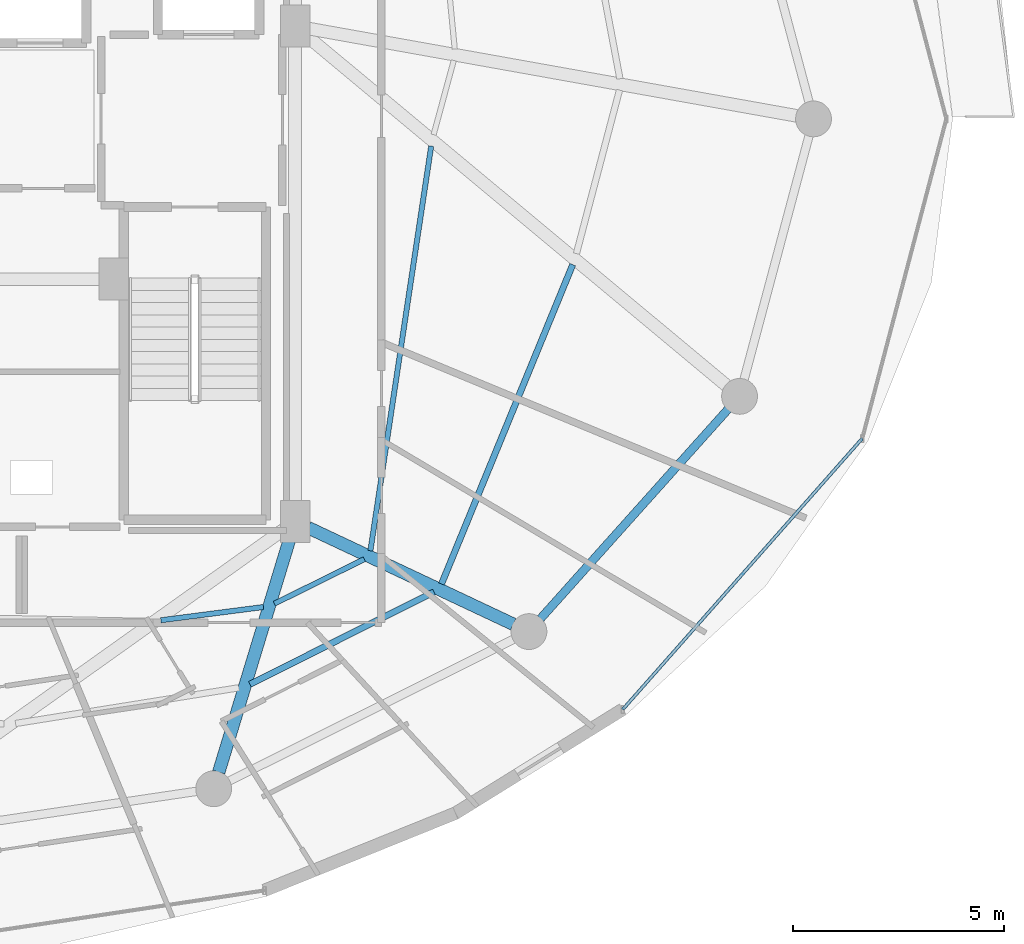
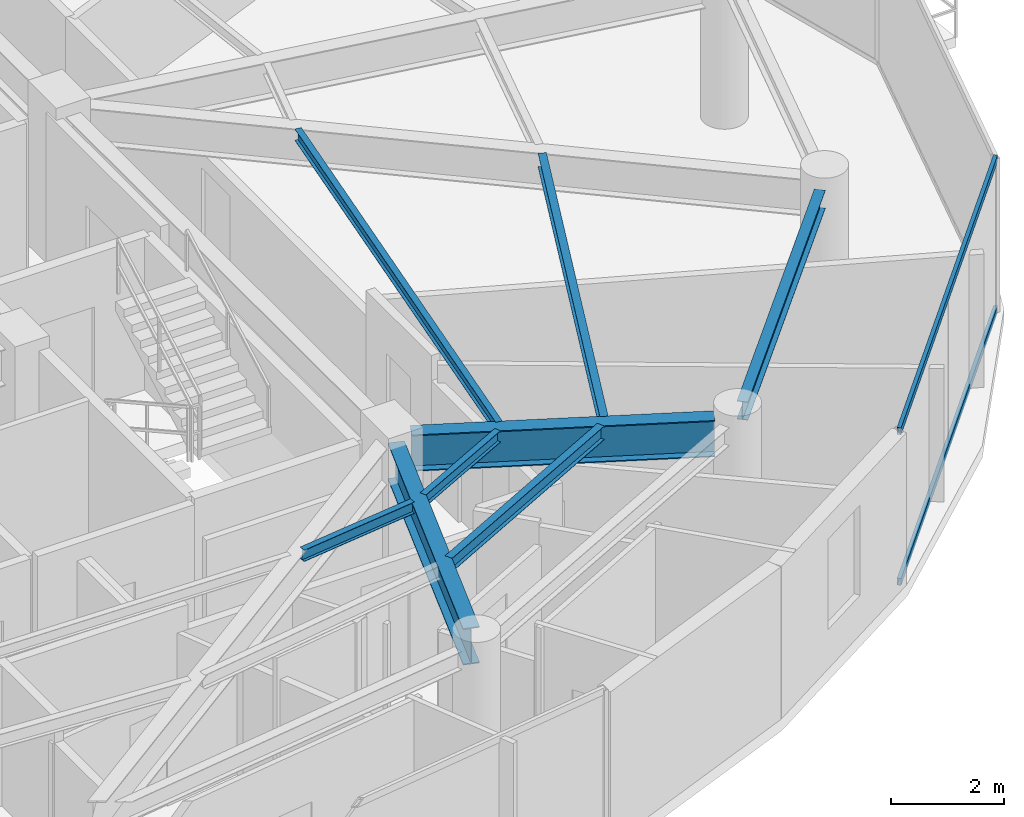
# One storey, part 12 of 31: 8 beams, 2 members, 1 element without a shape of its own.
"""IFC4 building model written with IfcOpenShell, lengths in metres."""

import ifcopenshell
import ifcopenshell.guid

model = None  # the IFC model being written
_history = None  # IfcOwnerHistory: only IFC2X3 demands one
_inside = {}  # id of a spatial element -> (the spatial element, [elements in it])
_under = {}  # id of a project, library or spatial element -> (it, [spatial elements below it])
_declared = {}  # id of a project -> (the project, [libraries it declares])
_typed = {}  # id of a type object -> (the type object, [elements of that type])
_made_of = {}  # id of a material, layer set ... -> (it, [elements and type objects made of it])


def new_model(schema):
    """Start an empty IFC model of exactly this schema.

    Asked for "IFC4X3", IfcOpenShell would pick the latest addendum, in which some entities
    have other attributes; the version numbers below select the first issue.
    IFC2X3 requires an IfcOwnerHistory on every rooted entity: one is made here for all.
    """
    global model, _history
    if schema == "IFC4X3":
        model = ifcopenshell.file(schema_version=(4, 3, 0, 0))
    else:
        model = ifcopenshell.file(schema=schema)
    _inside.clear()
    _under.clear()
    _declared.clear()
    _typed.clear()
    _made_of.clear()
    _history = None
    if model.schema == "IFC2X3":
        org = make("IfcOrganization", Name="unknown")
        user = make(
            "IfcPersonAndOrganization",
            ThePerson=make("IfcPerson", FamilyName="unknown"),
            TheOrganization=org,
        )
        app = make(
            "IfcApplication",
            ApplicationDeveloper=org,
            Version="unknown",
            ApplicationFullName="unknown",
            ApplicationIdentifier="unknown",
        )
        _history = make(
            "IfcOwnerHistory",
            OwningUser=user,
            OwningApplication=app,
            ChangeAction="ADDED",
            CreationDate=0,
        )
    return model


def make(cls, **values):
    """One entity of the class cls with the attributes given. An attribute that is None is left unset."""
    return model.create_entity(
        cls, **{name: value for name, value in values.items() if value is not None}
    )


def rooted(cls, **values):
    """An entity with a GlobalId (a new one), such as an element, a storey or a relation."""
    return make(cls, GlobalId=ifcopenshell.guid.new(), OwnerHistory=_history, **values)


def si_unit(unit_type, name, prefix=None):
    """IfcSIUnit, for example si_unit("LENGTHUNIT", "METRE", prefix="MILLI")."""
    return make("IfcSIUnit", UnitType=unit_type, Prefix=prefix, Name=name)


def assignment(units):
    """IfcUnitAssignment: the units of a project."""
    return None if units is None else make("IfcUnitAssignment", Units=units)


def point(xyz):
    """IfcCartesianPoint."""
    return None if xyz is None else make("IfcCartesianPoint", Coordinates=xyz)


def direction(xyz):
    """IfcDirection."""
    return None if xyz is None else make("IfcDirection", DirectionRatios=xyz)


def frame(location, z_axis=None, x_axis=None):
    """IfcAxis2Placement3D, a coordinate frame: its origin and axes. An axis left out is left unset."""
    return make(
        "IfcAxis2Placement3D",
        Location=point(location),
        Axis=direction(z_axis),
        RefDirection=direction(x_axis),
    )


def frame_2d(location, x_axis=None):
    """IfcAxis2Placement2D, a coordinate frame in the plane: its origin and x axis."""
    return make(
        "IfcAxis2Placement2D", Location=point(location), RefDirection=direction(x_axis)
    )


def origin():
    """The frame at (0, 0, 0) with its axes left unset."""
    return frame((0.0, 0.0, 0.0))


def origin_2d():
    """The frame at (0, 0) in the plane with its x axis left unset."""
    return frame_2d((0.0, 0.0))


def place(relative_to, where):
    """IfcLocalPlacement: puts the frame where relative to a parent placement (None: the world)."""
    return make(
        "IfcLocalPlacement", PlacementRelTo=relative_to, RelativePlacement=where
    )


def context(
    kind, dimensions, precision=None, world=None, true_north=None, identifier=None
):
    """IfcGeometricRepresentationContext, for example the 3D "Model" context."""
    return make(
        "IfcGeometricRepresentationContext",
        ContextIdentifier=identifier,
        ContextType=kind,
        CoordinateSpaceDimension=dimensions,
        Precision=precision,
        WorldCoordinateSystem=world,
        TrueNorth=true_north,
    )


def subcontext(parent, identifier, kind, view, scale=None):
    """IfcGeometricRepresentationSubContext, for example "Body" below "Model"."""
    return make(
        "IfcGeometricRepresentationSubContext",
        ContextIdentifier=identifier,
        ContextType=kind,
        ParentContext=parent,
        TargetScale=scale,
        TargetView=view,
    )


def project(units=None, contexts=None):
    """IfcProject with its units and contexts."""
    return rooted(
        "IfcProject",
        Name="project",
        RepresentationContexts=contexts,
        UnitsInContext=assignment(units),
    )


def spatial(cls, under=None, at=None, **own):
    """A site, building, storey or space (cls), placed at a placement, below another one or the project."""
    s = rooted(cls, ObjectPlacement=at, **own)
    if under is not None:
        _under.setdefault(under.id(), (under, []))[1].append(s)
    return s


def profile(cls, at=None, kind="AREA", **sizes):
    """A parametric profile (cls). Its sizes go by their IFC names, for example OverallWidth=200.0."""
    return make(cls, ProfileType=kind, Position=at, **sizes)


def hollow_rectangle(**sizes):
    """IfcRectangleHollowProfileDef."""
    return profile("IfcRectangleHollowProfileDef", **sizes)


def i_section(**sizes):
    """IfcIShapeProfileDef."""
    return profile("IfcIShapeProfileDef", **sizes)


def extrude(swept, where, along, depth):
    """IfcExtrudedAreaSolid: the profile swept, set in the frame where, extruded along a direction by depth."""
    return make(
        "IfcExtrudedAreaSolid",
        SweptArea=swept,
        Position=where,
        ExtrudedDirection=direction(along),
        Depth=depth,
    )


def shape(context_of_items, identifier, shape_type, items):
    """IfcShapeRepresentation: the items that make up one representation, for example the "Body"."""
    return make(
        "IfcShapeRepresentation",
        ContextOfItems=context_of_items,
        RepresentationIdentifier=identifier,
        RepresentationType=shape_type,
        Items=items,
    )


def material(Name=None, Category=None):
    """IfcMaterial."""
    return make("IfcMaterial", Name=Name, Category=Category)


def material_profile(
    of_material, cross_section, Name=None, Category=None, Priority=None
):
    """IfcMaterialProfile: a cross section and its material."""
    return make(
        "IfcMaterialProfile",
        Name=Name,
        Material=of_material,
        Profile=cross_section,
        Priority=Priority,
        Category=Category,
    )


def profile_set(profiles, Name=None, composite=None):
    """IfcMaterialProfileSet."""
    return make(
        "IfcMaterialProfileSet",
        Name=Name,
        MaterialProfiles=profiles,
        CompositeProfile=composite,
    )


def made_of(thing, what):
    """Note that an element or type object is made of a material, layer set ...; save() writes the relation."""
    if what is not None:
        _made_of.setdefault(what.id(), (what, []))[1].append(thing)
    return thing


def type_object(cls, material=None, **own):
    """A type object (cls), such as IfcWallType, which elements share."""
    return made_of(rooted(cls, **own), material)


def element(
    cls,
    number,
    at=None,
    inside=None,
    cuts=None,
    type_object=None,
    material=None,
    context=None,
    identifier="Body",
    shape_type=None,
    held_by="IfcProductDefinitionShape",
    body=None,
    shapes=None,
    **own,
):
    """One element of the class cls, such as IfcWall. Its Tag is "e" and its number.

    at: its placement. inside: the storey or other place that contains it. cuts: it is an
    opening in that element (IfcRelVoidsElement). A single representation is given by context,
    identifier, shape_type and body (its items); several are given by shapes. held_by: the class
    of the entity that holds the representations. save() writes the other relations.
    """
    e = rooted(cls, Tag="e%d" % number, ObjectPlacement=at, **own)
    if body is not None:
        shapes = [shape(context, identifier, shape_type, body)]
    if shapes is not None:
        e.Representation = make(held_by, Representations=shapes)
    if inside is not None:
        _inside.setdefault(inside.id(), (inside, []))[1].append(e)
    if cuts is not None:
        rooted(
            "IfcRelVoidsElement", RelatingBuildingElement=cuts, RelatedOpeningElement=e
        )
    if type_object is not None:
        _typed.setdefault(type_object.id(), (type_object, []))[1].append(e)
    return made_of(e, material)


def aggregate(whole, parts):
    """IfcRelAggregates: a whole, such as a stair, and the parts it consists of."""
    return rooted("IfcRelAggregates", RelatingObject=whole, RelatedObjects=parts)


def save(model, path):
    """Write the relations noted so far, then the file.

    IfcRelAggregates (storeys below a building ...), IfcRelContainedInSpatialStructure (elements
    in a storey), IfcRelDefinesByType, IfcRelAssociatesMaterial and IfcRelDeclares: one each for
    every whole, place, type object, material and project.
    """
    for whole, parts in _under.values():
        aggregate(whole, parts)
    for where, things in _inside.values():
        rooted(
            "IfcRelContainedInSpatialStructure",
            RelatedElements=things,
            RelatingStructure=where,
        )
    for kind, things in _typed.values():
        rooted("IfcRelDefinesByType", RelatedObjects=things, RelatingType=kind)
    for what, things in _made_of.values():
        rooted("IfcRelAssociatesMaterial", RelatedObjects=things, RelatingMaterial=what)
    for by, libraries in _declared.values():
        rooted("IfcRelDeclares", RelatingContext=by, RelatedDefinitions=libraries)
    model.write(path)


model = new_model("IFC4")

# Units and contexts
model_context = context("Model", 3, precision=1e-05, world=origin(), true_north=direction((0.0, 1.0)))
body_context = subcontext(model_context, "Body", "Model", "MODEL_VIEW")
ifc_project = project(units=[si_unit("LENGTHUNIT", "METRE"), si_unit("AREAUNIT", "SQUARE_METRE"), si_unit("VOLUMEUNIT", "CUBIC_METRE"), si_unit("PLANEANGLEUNIT", "RADIAN"), si_unit("MASSUNIT", "GRAM", prefix="KILO")], contexts=[model_context])

# Site, building, storey
site_placement = place(None, origin())
site = spatial("IfcSite", under=ifc_project, at=site_placement, CompositionType="ELEMENT")
building_placement = place(site_placement, origin())
building = spatial("IfcBuilding", under=site, at=building_placement, Name="Vorneva Point Tower", CompositionType="ELEMENT")
storey_placement = place(building_placement, frame((0.0, 0.0, 248.449951171875)))
storey = spatial("IfcBuildingStorey", under=building, at=storey_placement, Name="L67", CompositionType="ELEMENT", Elevation=248.449951171875)

# Beams
ifc_material_1 = material(Name="Steel S355", Category="steel")
ifc_material_profile_1 = material_profile(ifc_material_1, i_section(OverallWidth=0.300048828125, OverallDepth=0.7880859375, WebThickness=0.014404296875, FlangeThickness=0.02197265625, at=origin_2d()), Name="80Sh1")
ifc_profile_set_1 = profile_set([ifc_material_profile_1], Name="Steel S355")
beam_type_1 = type_object("IfcBeamType", Name="BM-GRD-80Sh1", PredefinedType="USERDEFINED", material=ifc_profile_set_1)
beam_1_placement = place(storey_placement, frame((46.941162109375, 10.50439453125, 2.89599609375), z_axis=(0.291032624293, 0.956713129207, 0.0), x_axis=(-0.956713129207, 0.291032624293, 0.0)))
element("IfcBeam", 1, at=beam_1_placement, inside=storey, type_object=beam_type_1, Name="L67 Radial Primary Girder 14", ObjectType="GIRDER", PredefinedType="USERDEFINED", context=body_context, shape_type="SweptSolid", body=[
    extrude(i_section(OverallWidth=0.300048828125, OverallDepth=0.7880859375, WebThickness=0.014404296875, FlangeThickness=0.02197265625, at=origin_2d()), origin(), (0.0, 0.0, 1.0), 5.874755859375),
])
beam_2_placement = place(storey_placement, frame((53.925048828125, 14.013671875, 2.89599609375), z_axis=(-0.904750812805, 0.425941271455, 0.0), x_axis=(-0.425941271455, -0.904750812805, 0.0)))
element("IfcBeam", 2, at=beam_2_placement, inside=storey, type_object=beam_type_1, Name="L67 Radial Primary Girder 15", ObjectType="GIRDER", PredefinedType="USERDEFINED", context=body_context, shape_type="SweptSolid", body=[
    extrude(i_section(OverallWidth=0.300048828125, OverallDepth=0.7880859375, WebThickness=0.014404296875, FlangeThickness=0.02197265625, at=origin_2d()), origin(), (0.0, 0.0, 1.0), 5.3798828125),
])
ifc_material_profile_2 = material_profile(ifc_material_1, i_section(OverallWidth=0.1240234375, OverallDepth=0.248046875, WebThickness=0.0048828125, FlangeThickness=0.008056640625, at=origin_2d()), Name="25B1")
ifc_profile_set_2 = profile_set([ifc_material_profile_2], Name="Steel S355")
beam_type_2 = type_object("IfcBeamType", Name="BM-JST-25B1", PredefinedType="JOIST", material=ifc_profile_set_2)
beam_3_placement = place(storey_placement, frame((45.56884765625, 14.106689453125, 3.166015625), z_axis=(0.991759516667, 0.128113469633, 0.0), x_axis=(-0.128113469633, 0.991759516667, 0.0)))
element("IfcBeam", 3, at=beam_3_placement, inside=storey, type_object=beam_type_2, Name="L67 Secondary Floor Beam 2.13", PredefinedType="JOIST", context=body_context, shape_type="SweptSolid", body=[
    extrude(i_section(OverallWidth=0.1240234375, OverallDepth=0.248046875, WebThickness=0.0048828125, FlangeThickness=0.008056640625, at=origin_2d()), origin(), (0.0, 0.0, 1.0), 2.45263671875),
])
beam_4_placement = place(storey_placement, frame((48.26171875, 14.5, 3.166015625), z_axis=(0.896082897708, 0.443886742803, 0.0), x_axis=(-0.443886742803, 0.896082897708, 0.0)))
element("IfcBeam", 4, at=beam_4_placement, inside=storey, type_object=beam_type_2, Name="L67 Secondary Floor Beam 2.14", PredefinedType="JOIST", context=body_context, shape_type="SweptSolid", body=[
    extrude(i_section(OverallWidth=0.1240234375, OverallDepth=0.248046875, WebThickness=0.0048828125, FlangeThickness=0.008056640625, at=origin_2d()), origin(), (0.0, 0.0, 1.0), 2.3798828125),
])
beam_5_placement = place(storey_placement, frame((50.538330078125, 15.754150390625, 3.166015625), z_axis=(0.148556856511, 0.98890386812, 0.0), x_axis=(-0.98890386812, 0.148556856511, 0.0)))
element("IfcBeam", 5, at=beam_5_placement, inside=storey, type_object=beam_type_2, Name="L67 Secondary Floor Beam 2.15", PredefinedType="JOIST", context=body_context, shape_type="SweptSolid", body=[
    extrude(i_section(OverallWidth=0.1240234375, OverallDepth=0.248046875, WebThickness=0.0048828125, FlangeThickness=0.008056640625, at=origin_2d()), origin(), (0.0, 0.0, 1.0), 9.709228515625),
])
ifc_material_profile_3 = material_profile(ifc_material_1, i_section(OverallWidth=0.14892578125, OverallDepth=0.298095703125, WebThickness=0.005615234375, FlangeThickness=0.008056640625, at=origin_2d()), Name="30B1")
ifc_profile_set_3 = profile_set([ifc_material_profile_3], Name="Steel S355")
beam_type_3 = type_object("IfcBeamType", Name="BM-JST-30B1", PredefinedType="JOIST", material=ifc_profile_set_3)
beam_6_placement = place(storey_placement, frame((47.68017578125, 12.589599609375, 3.14111328125), z_axis=(0.894207228659, 0.447653249975, 0.0), x_axis=(-0.447653249975, 0.894207228659, 0.0)))
element("IfcBeam", 6, at=beam_6_placement, inside=storey, type_object=beam_type_3, Name="L67 Secondary Floor Beam 1.14", PredefinedType="JOIST", context=body_context, shape_type="SweptSolid", body=[
    extrude(i_section(OverallWidth=0.14892578125, OverallDepth=0.298095703125, WebThickness=0.005615234375, FlangeThickness=0.008056640625, at=origin_2d()), origin(), (0.0, 0.0, 1.0), 4.885986328125),
])
beam_7_placement = place(storey_placement, frame((52.22509765625, 14.96630859375, 3.14111328125), z_axis=(0.380013584787, 0.924980905412, 0.0), x_axis=(-0.924980905412, 0.380013584787, 0.0)))
element("IfcBeam", 7, at=beam_7_placement, inside=storey, type_object=beam_type_3, Name="L67 Secondary Floor Beam 1.15", PredefinedType="JOIST", context=body_context, shape_type="SweptSolid", body=[
    extrude(i_section(OverallWidth=0.14892578125, OverallDepth=0.298095703125, WebThickness=0.005615234375, FlangeThickness=0.008056640625, at=origin_2d()), origin(), (0.0, 0.0, 1.0), 8.190673828125),
])
ifc_material_profile_4 = material_profile(ifc_material_1, i_section(OverallWidth=0.198974609375, OverallDepth=0.39599609375, WebThickness=0.007080078125, FlangeThickness=0.010986328125, at=origin_2d()), Name="40B1")
ifc_profile_set_4 = profile_set([ifc_material_profile_4], Name="Steel S355")
beam_type_4 = type_object("IfcBeamType", Name="BM-SPN-40B1", PredefinedType="SPANDREL", material=ifc_profile_set_4)
beam_8_placement = place(storey_placement, frame((54.572265625, 14.143310546875, 3.092041015625), z_axis=(0.667108282638, 0.744960763554, 0.0), x_axis=(-0.744960763554, 0.667108282638, 0.0)))
element("IfcBeam", 8, at=beam_8_placement, inside=storey, type_object=beam_type_4, Name="L67 Perimeter Spandrel Ring Beam 15", PredefinedType="SPANDREL", context=body_context, shape_type="SweptSolid", body=[
    extrude(i_section(OverallWidth=0.198974609375, OverallDepth=0.39599609375, WebThickness=0.007080078125, FlangeThickness=0.010986328125, at=origin_2d()), origin(), (0.0, 0.0, 1.0), 6.670166015625),
])

# Curtain wall, members
ifc_material_2 = material(Name="Pale anodised aluminium", Category="aluminium")
curtain_wall_type = type_object("IfcCurtainWallType", Name="CW-RES-SYS", PredefinedType="NOTDEFINED", material=ifc_material_2)
curtain_wall_placement = place(storey_placement, origin())
curtain_wall = element("IfcCurtainWall", 9, at=curtain_wall_placement, inside=storey, type_object=curtain_wall_type, Name="L67 Unitised Curtain Wall CW-L67-R01", PredefinedType="NOTDEFINED")
ifc_material_profile_5 = material_profile(ifc_material_2, hollow_rectangle(XDim=0.074951171875, YDim=0.14990234375, WallThickness=0.00390625, at=origin_2d()), Name="AL-TRN 150x75x4")
ifc_profile_set_5 = profile_set([ifc_material_profile_5], Name="Pale anodised aluminium")
member_type = type_object("IfcMemberType", Name="CW-TRN-150", PredefinedType="USERDEFINED", material=ifc_profile_set_5)
member_1_placement = place(storey_placement, frame((56.526123046875, 11.9921875, 0.02001953125), z_axis=(0.662196681357, 0.74933007093, 0.0), x_axis=(-0.74933007093, 0.662196681357, 0.0)))
member_1 = element("IfcMember", 10, at=member_1_placement, type_object=member_type, Name="CW-L67-R01 Transom 01.1", ObjectType="TRANSOM", PredefinedType="USERDEFINED", context=body_context, shape_type="SweptSolid", body=[
    extrude(hollow_rectangle(XDim=0.074951171875, YDim=0.14990234375, WallThickness=0.00390625, at=origin_2d()), origin(), (0.0, 0.0, 1.0), 8.57666015625),
])
member_2_placement = place(storey_placement, frame((56.526123046875, 11.9921875, 3.27001953125), z_axis=(0.662196681357, 0.74933007093, 0.0), x_axis=(-0.74933007093, 0.662196681357, 0.0)))
member_2 = element("IfcMember", 11, at=member_2_placement, type_object=member_type, Name="CW-L67-R01 Transom 01.2", ObjectType="TRANSOM", PredefinedType="USERDEFINED", context=body_context, shape_type="SweptSolid", body=[
    extrude(hollow_rectangle(XDim=0.074951171875, YDim=0.14990234375, WallThickness=0.00390625, at=origin_2d()), origin(), (0.0, 0.0, 1.0), 8.57666015625),
])
aggregate(curtain_wall, [member_1, member_2])

save(model, "model.ifc")
